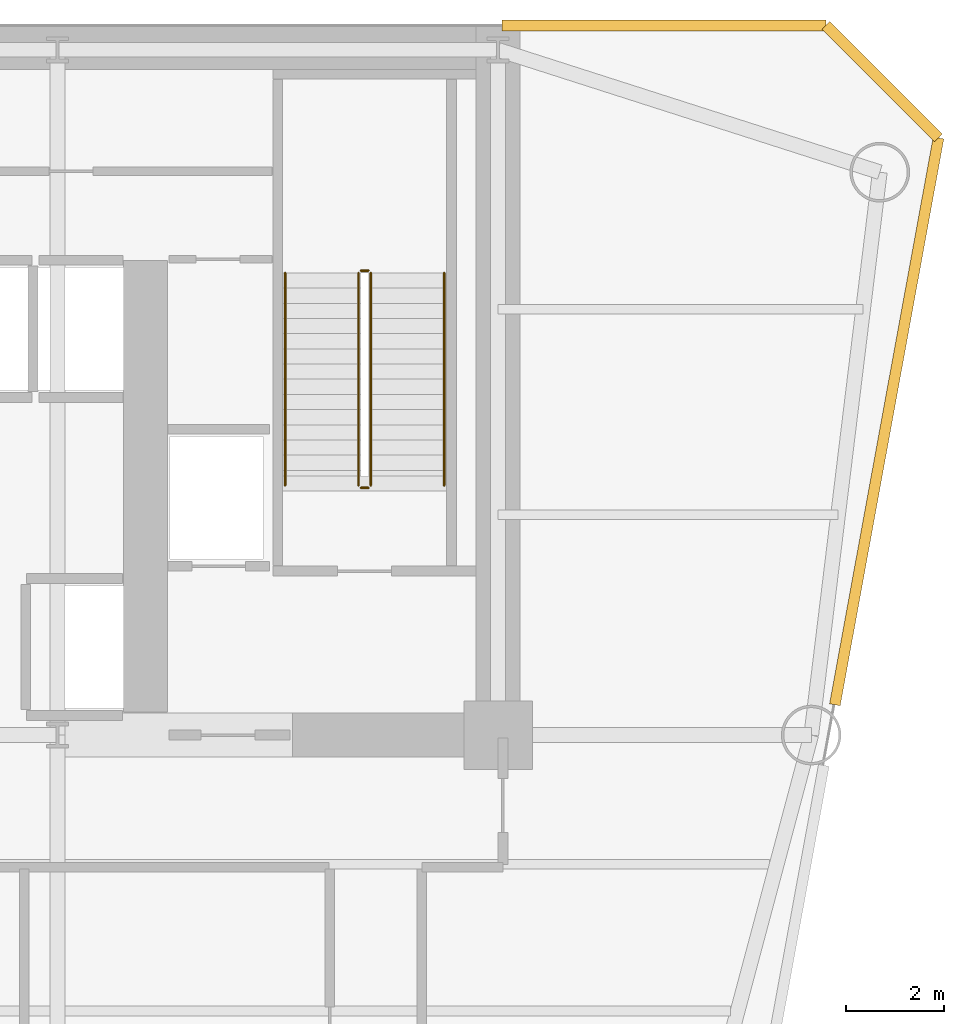
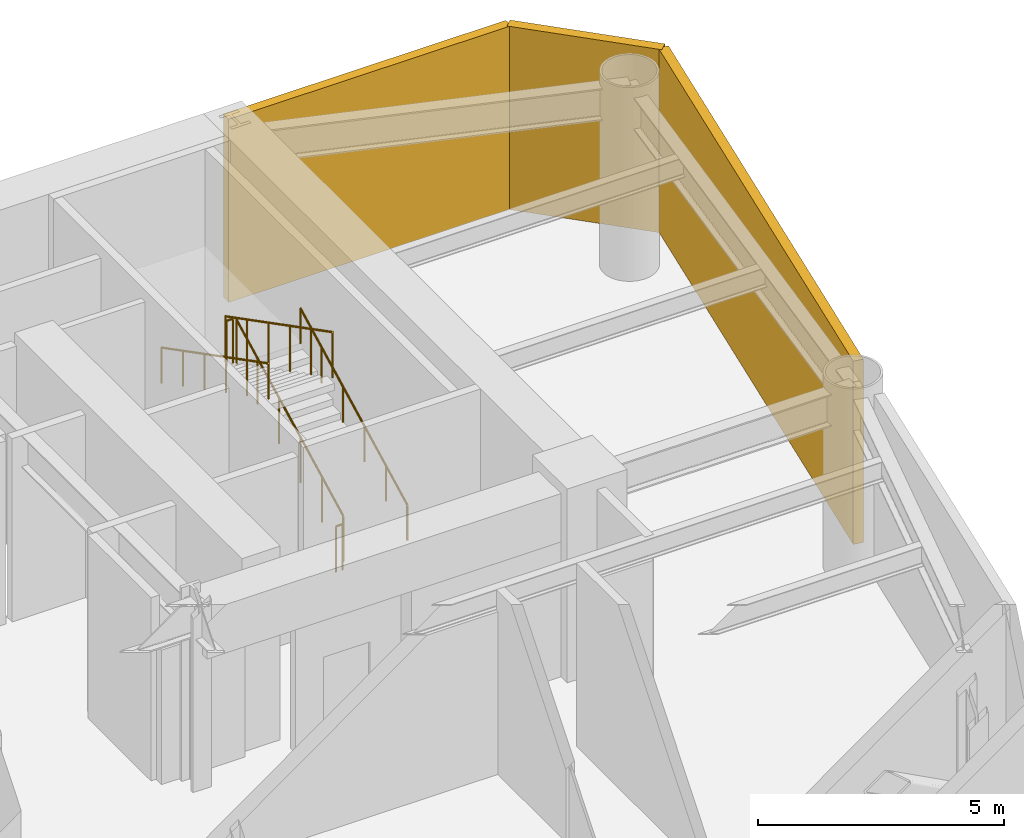
# One storey, part 10 of 10: 6 railings, 3 coverings.
"""IFC4 building model written with IfcOpenShell, lengths in metres."""

from ifc_helpers import new_model, si_unit, direction, frame, origin, origin_2d, place, context, subcontext, project, spatial, rectangle, circle, extrude, source, transform, mapped, material, layer, layer_set, type_object, element, save


model = new_model("IFC4")

# Units and contexts
model_context = context("Model", 3, precision=1e-05, world=origin(), true_north=direction((0.0, 1.0)))
body_context = subcontext(model_context, "Body", "Model", "MODEL_VIEW")
ifc_project = project(units=[si_unit("LENGTHUNIT", "METRE"), si_unit("AREAUNIT", "SQUARE_METRE"), si_unit("VOLUMEUNIT", "CUBIC_METRE"), si_unit("PLANEANGLEUNIT", "RADIAN"), si_unit("MASSUNIT", "GRAM", prefix="KILO")], contexts=[model_context])

# Site, building, storey
site_placement = place(None, origin())
site = spatial("IfcSite", under=ifc_project, at=site_placement, CompositionType="ELEMENT")
building_placement = place(site_placement, origin())
building = spatial("IfcBuilding", under=site, at=building_placement, Name="Vaeldorn Concourse Tower", CompositionType="ELEMENT")
storey_placement = place(building_placement, frame((0.0, 0.0, 83.39990234375)))
storey = spatial("IfcBuildingStorey", under=building, at=storey_placement, Name="L21", CompositionType="ELEMENT", Elevation=83.39990234375)

# Railings
ifc_material = material(Name="Anodised Bronze Aluminium", Category="aluminium")
railing_type_1 = type_object("IfcRailingType", Name="RL-STAIR-GUARD", PredefinedType="GUARDRAIL", material=ifc_material)
railing_1_placement = place(storey_placement, frame((51.39990234375, 41.60009765625, 0.16015625)))
element("IfcRailing", 1, at=railing_1_placement, inside=storey, type_object=railing_type_1, Name="L21 ST-2 stair guard 1", PredefinedType="GUARDRAIL", context=body_context, shape_type="SweptSolid", body=[
    extrude(circle(Radius=0.02392578125, at=origin_2d()), frame((0.0, 0.0, 1.1259765625), z_axis=(0.0, 0.888614742027, 0.458654379956), x_axis=(-1.0, 0.0, 0.0)), (0.0, 0.0, 1.0), 4.8837890625),
    extrude(circle(Radius=0.02099609375, at=origin_2d()), origin(), (0.0, 0.0, 1.0), 1.101806640625),
    extrude(circle(Radius=0.02099609375, at=origin_2d()), frame((0.0, 0.867919921875, 0.447998046875)), (0.0, 0.0, 1.0), 1.101806640625),
    extrude(circle(Radius=0.02099609375, at=origin_2d()), frame((0.0, 1.73583984375, 0.89599609375)), (0.0, 0.0, 1.0), 1.101806640625),
    extrude(circle(Radius=0.02099609375, at=origin_2d()), frame((0.0, 2.60400390625, 1.343994140625)), (0.0, 0.0, 1.0), 1.101806640625),
    extrude(circle(Radius=0.02099609375, at=origin_2d()), frame((0.0, 3.471923828125, 1.7919921875)), (0.0, 0.0, 1.0), 1.101806640625),
    extrude(circle(Radius=0.02099609375, at=origin_2d()), frame((0.0, 4.33984375, 2.239990234375)), (0.0, 0.0, 1.0), 1.101806640625),
])
railing_2_placement = place(storey_placement, frame((51.35009765625, 45.989990234375, 2.400146484375)))
element("IfcRailing", 2, at=railing_2_placement, inside=storey, type_object=railing_type_1, Name="L21 ST-2 stair guard 2", PredefinedType="GUARDRAIL", context=body_context, shape_type="SweptSolid", body=[
    extrude(circle(Radius=0.02392578125, at=origin_2d()), frame((0.0, 0.0, 1.1259765625), z_axis=(-1.0, 0.0, 0.0), x_axis=(0.0, -1.0, 0.0)), (0.0, 0.0, 1.0), 0.150146484375),
    extrude(circle(Radius=0.02099609375, at=origin_2d()), origin(), (0.0, 0.0, 1.0), 1.101806640625),
    extrude(circle(Radius=0.02099609375, at=origin_2d()), frame((-0.150146484375, 0.0, 0.0)), (0.0, 0.0, 1.0), 1.101806640625),
])
railing_3_placement = place(storey_placement, frame((51.14990234375, 45.93994140625, 2.56005859375)))
element("IfcRailing", 3, at=railing_3_placement, inside=storey, type_object=railing_type_1, Name="L21 ST-2 stair guard 3", PredefinedType="GUARDRAIL", context=body_context, shape_type="SweptSolid", body=[
    extrude(circle(Radius=0.02392578125, at=origin_2d()), frame((0.0, 0.0, 1.1259765625), z_axis=(0.0, -0.888614742027, 0.458654379956), x_axis=(1.0, 0.0, 0.0)), (0.0, 0.0, 1.0), 4.8837890625),
    extrude(circle(Radius=0.02099609375, at=origin_2d()), origin(), (0.0, 0.0, 1.0), 1.101806640625),
    extrude(circle(Radius=0.02099609375, at=origin_2d()), frame((0.0, -0.867919921875, 0.447998046875)), (0.0, 0.0, 1.0), 1.101806640625),
    extrude(circle(Radius=0.02099609375, at=origin_2d()), frame((0.0, -1.73583984375, 0.89599609375)), (0.0, 0.0, 1.0), 1.101806640625),
    extrude(circle(Radius=0.02099609375, at=origin_2d()), frame((0.0, -2.60400390625, 1.343994140625)), (0.0, 0.0, 1.0), 1.101806640625),
    extrude(circle(Radius=0.02099609375, at=origin_2d()), frame((0.0, -3.471923828125, 1.7919921875)), (0.0, 0.0, 1.0), 1.101806640625),
    extrude(circle(Radius=0.02099609375, at=origin_2d()), frame((0.0, -4.33984375, 2.239990234375)), (0.0, 0.0, 1.0), 1.101806640625),
])
railing_4_placement = place(storey_placement, frame((51.35009765625, 41.550048828125, 0.0)))
element("IfcRailing", 4, at=railing_4_placement, inside=storey, type_object=railing_type_1, Name="L21 ST-2 stair guard 4", PredefinedType="GUARDRAIL", context=body_context, shape_type="SweptSolid", body=[
    extrude(circle(Radius=0.02392578125, at=origin_2d()), frame((0.0, 0.0, 1.1259765625), z_axis=(-1.0, 0.0, 0.0), x_axis=(0.0, -1.0, 0.0)), (0.0, 0.0, 1.0), 0.150146484375),
    extrude(circle(Radius=0.02099609375, at=origin_2d()), origin(), (0.0, 0.0, 1.0), 1.101806640625),
    extrude(circle(Radius=0.02099609375, at=origin_2d()), frame((-0.150146484375, 0.0, 0.0)), (0.0, 0.0, 1.0), 1.101806640625),
])
railing_type_2 = type_object("IfcRailingType", Name="RL-STAIR-HANDRAIL", PredefinedType="HANDRAIL", material=ifc_material)
railing_5_placement = place(storey_placement, frame((52.89990234375, 41.60009765625, 0.16015625)))
element("IfcRailing", 5, at=railing_5_placement, inside=storey, type_object=railing_type_2, Name="L21 ST-2 stair handrail 1", PredefinedType="HANDRAIL", context=body_context, shape_type="SweptSolid", body=[
    extrude(circle(Radius=0.02392578125, at=origin_2d()), frame((0.0, 0.0, 0.8759765625), z_axis=(0.0, 0.888614742027, 0.458654379956), x_axis=(-1.0, 0.0, 0.0)), (0.0, 0.0, 1.0), 4.8837890625),
    extrude(circle(Radius=0.02099609375, at=origin_2d()), origin(), (0.0, 0.0, 1.0), 0.851806640625),
    extrude(circle(Radius=0.02099609375, at=origin_2d()), frame((0.0, 0.867919921875, 0.447998046875)), (0.0, 0.0, 1.0), 0.851806640625),
    extrude(circle(Radius=0.02099609375, at=origin_2d()), frame((0.0, 1.73583984375, 0.89599609375)), (0.0, 0.0, 1.0), 0.851806640625),
    extrude(circle(Radius=0.02099609375, at=origin_2d()), frame((0.0, 2.60400390625, 1.343994140625)), (0.0, 0.0, 1.0), 0.851806640625),
    extrude(circle(Radius=0.02099609375, at=origin_2d()), frame((0.0, 3.471923828125, 1.7919921875)), (0.0, 0.0, 1.0), 0.851806640625),
    extrude(circle(Radius=0.02099609375, at=origin_2d()), frame((0.0, 4.33984375, 2.239990234375)), (0.0, 0.0, 1.0), 0.851806640625),
])
railing_6_placement = place(storey_placement, frame((49.64990234375, 45.93994140625, 2.56005859375)))
element("IfcRailing", 6, at=railing_6_placement, inside=storey, type_object=railing_type_2, Name="L21 ST-2 stair handrail 2", PredefinedType="HANDRAIL", context=body_context, shape_type="SweptSolid", body=[
    extrude(circle(Radius=0.02392578125, at=origin_2d()), frame((0.0, 0.0, 0.8759765625), z_axis=(0.0, -0.888614742027, 0.458654379956), x_axis=(1.0, 0.0, 0.0)), (0.0, 0.0, 1.0), 4.8837890625),
    extrude(circle(Radius=0.02099609375, at=origin_2d()), origin(), (0.0, 0.0, 1.0), 0.851806640625),
    extrude(circle(Radius=0.02099609375, at=origin_2d()), frame((0.0, -0.867919921875, 0.447998046875)), (0.0, 0.0, 1.0), 0.851806640625),
    extrude(circle(Radius=0.02099609375, at=origin_2d()), frame((0.0, -1.73583984375, 0.89599609375)), (0.0, 0.0, 1.0), 0.851806640625),
    extrude(circle(Radius=0.02099609375, at=origin_2d()), frame((0.0, -2.60400390625, 1.343994140625)), (0.0, 0.0, 1.0), 0.851806640625),
    extrude(circle(Radius=0.02099609375, at=origin_2d()), frame((0.0, -3.471923828125, 1.7919921875)), (0.0, 0.0, 1.0), 0.851806640625),
    extrude(circle(Radius=0.02099609375, at=origin_2d()), frame((0.0, -4.33984375, 2.239990234375)), (0.0, 0.0, 1.0), 0.851806640625),
])

# Coverings
ifc_layer = layer(ifc_material, 1.60009765625)
ifc_layer_set = layer_set([ifc_layer], Name="Anodised Bronze Aluminium")
covering_type = type_object("IfcCoveringType", Name="SD-BRONZE-LOUVRE", PredefinedType="USERDEFINED", material=ifc_layer_set)
shared_shape_1 = source(origin(), body_context, "Body", "SweptSolid", [
    extrude(rectangle(XDim=3.252685546875, YDim=0.219970703125, at=origin_2d()), origin(), (0.0, 0.0, 1.0), 4.5400390625),
])
covering_1_placement = place(storey_placement, frame((61.85009765625, 49.85009765625, 0.0), z_axis=(0.0, 0.0, 1.0), x_axis=(-0.707106781187, 0.707106781187, 0.0)))
element("IfcCovering", 7, at=covering_1_placement, inside=storey, type_object=covering_type, Name="Refuge Band Bronze Acoustic Louvre L21-08.1", ObjectType="LOUVRE", PredefinedType="USERDEFINED", context=body_context, shape_type="MappedRepresentation", body=[
    mapped(shared_shape_1, transform((0.0, 0.0, 0.0), scale=1.0)),
])
shared_shape_2 = source(origin(), body_context, "Body", "SweptSolid", [
    extrude(rectangle(XDim=11.7724609375, YDim=0.219970703125, at=origin_2d()), origin(), (0.0, 0.0, 1.0), 4.5400390625),
])
covering_2_placement = place(storey_placement, frame((61.94140625, 42.90966796875, 0.0), z_axis=(0.0, 0.0, 1.0), x_axis=(0.17984960762, 0.983694118433, 0.0)))
element("IfcCovering", 8, at=covering_2_placement, inside=storey, type_object=covering_type, Name="Refuge Band Bronze Acoustic Louvre L21-07.2", ObjectType="LOUVRE", PredefinedType="USERDEFINED", context=body_context, shape_type="MappedRepresentation", body=[
    mapped(shared_shape_2, transform((0.0, 0.0, 0.0), scale=1.0)),
])
shared_shape_3 = source(origin(), body_context, "Body", "SweptSolid", [
    extrude(rectangle(XDim=6.6201171875, YDim=0.219970703125, at=origin_2d()), origin(), (0.0, 0.0, 1.0), 4.5400390625),
])
covering_3_placement = place(storey_placement, frame((57.389892578125, 51.0, 0.0), z_axis=(0.0, 0.0, 1.0), x_axis=(-1.0, 0.0, 0.0)))
element("IfcCovering", 9, at=covering_3_placement, inside=storey, type_object=covering_type, Name="Refuge Band Bronze Acoustic Louvre L21-09.1", ObjectType="LOUVRE", PredefinedType="USERDEFINED", context=body_context, shape_type="MappedRepresentation", body=[
    mapped(shared_shape_3, transform((0.0, 0.0, 0.0), scale=1.0)),
])

save(model, "model.ifc")
